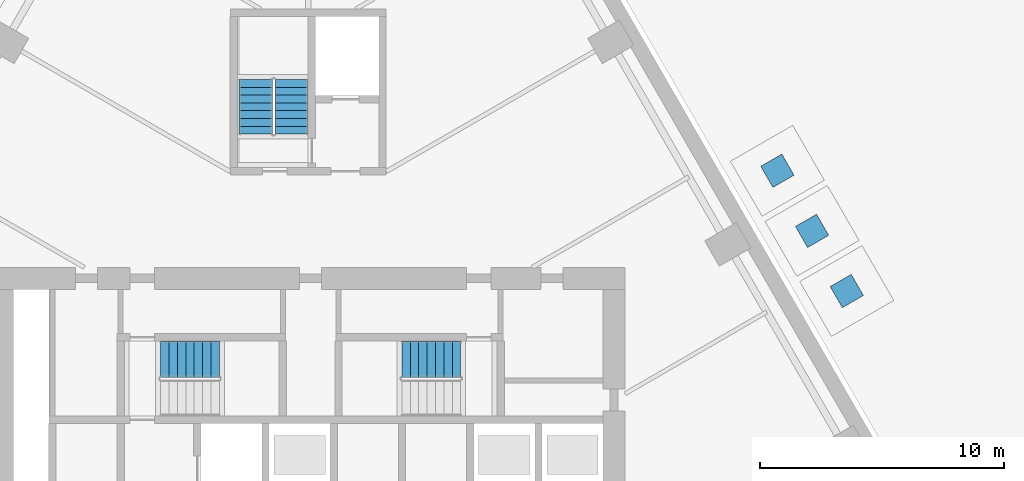
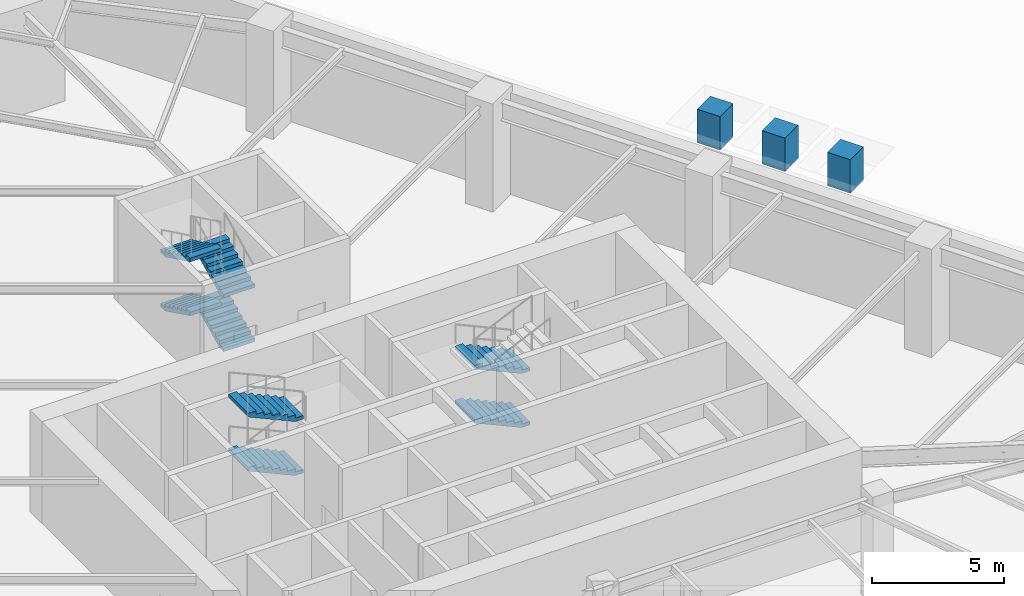
# One storey, part 6 of 9: 8 stair flights, 3 discrete accessories, 3 elements without a shape of their own.
"""IFC4 building model written with IfcOpenShell, lengths in metres."""

from ifc_helpers import new_model, si_unit, direction, frame, origin, origin_2d, place, context, subcontext, project, spatial, polyline, rectangle, outline, extrude, material, type_object, element, aggregate, save


model = new_model("IFC4")

# Units and contexts
model_context = context("Model", 3, precision=1e-05, world=origin(), true_north=direction((0.0, 1.0)))
body_context = subcontext(model_context, "Body", "Model", "MODEL_VIEW")
ifc_project = project(units=[si_unit("LENGTHUNIT", "METRE"), si_unit("AREAUNIT", "SQUARE_METRE"), si_unit("VOLUMEUNIT", "CUBIC_METRE"), si_unit("PLANEANGLEUNIT", "RADIAN"), si_unit("MASSUNIT", "GRAM", prefix="KILO")], contexts=[model_context])

# Site, building, storey
site_placement = place(None, origin())
site = spatial("IfcSite", under=ifc_project, at=site_placement, CompositionType="ELEMENT")
building_placement = place(site_placement, origin())
building = spatial("IfcBuilding", under=site, at=building_placement, Name="Firuza Gate Tower and Library", CompositionType="ELEMENT")
storey_placement = place(building_placement, frame((0.0, 0.0, -5.0)))
storey = spatial("IfcBuildingStorey", under=building, at=storey_placement, Name="B1", CompositionType="ELEMENT", Elevation=-5.0)

# Stair, stair flights
ifc_material_1 = material(Name="Concrete C35/45", Category="concrete")
stair_type_1 = type_object("IfcStairType", Name="Exit stair ST11", PredefinedType="HALF_TURN_STAIR", material=ifc_material_1)
placement = place(storey_placement, origin())
stair_1 = element("IfcStair", 1, at=placement, inside=storey, type_object=stair_type_1, Name="B1 Stair ST3", PredefinedType="HALF_TURN_STAIR")
ifc_material_2 = material(Name="Concrete C35/45", Category="concrete")
stair_flight_type_1 = type_object("IfcStairFlightType", Name="Stair flight 8 risers 156.2 width 1370", PredefinedType="STRAIGHT", material=ifc_material_2)
stair_flight_1_placement = place(storey_placement, frame((74.31494140625, 89.469970703125, 0.0), z_axis=(0.0, 0.0, 1.0), x_axis=(0.0, 1.0, 0.0)))
stair_flight_1 = element("IfcStairFlight", 2, at=stair_flight_1_placement, type_object=stair_flight_type_1, Name="ST3 flight 1", NumberOfRisers=8, NumberOfTreads=7, PredefinedType="STRAIGHT", RiserHeight=0.15625, TreadLength=0.32, context=body_context, shape_type="SweptSolid", body=[
    extrude(outline(polyline([(0.0, 0.0), (0.0, 0.15625), (0.320068359375, 0.15625), (0.320068359375, 0.3125), (0.639892578125, 0.3125), (0.639892578125, 0.46875), (0.9599609375, 0.46875), (0.9599609375, 0.625), (1.280029296875, 0.625), (1.280029296875, 0.78125), (1.60009765625, 0.78125), (1.60009765625, 0.9375), (1.919921875, 0.9375), (1.919921875, 1.09375), (2.239990234375, 1.09375), (2.239990234375, 1.25), (2.239990234375, 0.927001953125), (0.341552734375, 0.0), (0.0, 0.0)])), frame((0.0, 0.68505859375, 0.0), z_axis=(0.0, -1.0, 0.0), x_axis=(1.0, 0.0, 0.0)), (0.0, 0.0, 1.0), 1.3701171875),
])
stair_flight_2_placement = place(storey_placement, frame((72.844970703125, 91.7099609375, 1.25), z_axis=(0.0, 0.0, 1.0), x_axis=(0.0, -1.0, 0.0)))
stair_flight_2 = element("IfcStairFlight", 3, at=stair_flight_2_placement, type_object=stair_flight_type_1, Name="ST3 flight 2", NumberOfRisers=8, NumberOfTreads=7, PredefinedType="STRAIGHT", RiserHeight=0.15625, TreadLength=0.32, context=body_context, shape_type="SweptSolid", body=[
    extrude(outline(polyline([(0.0, 0.0), (0.0, 0.15625), (0.320068359375, 0.15625), (0.320068359375, 0.3125), (0.639892578125, 0.3125), (0.639892578125, 0.46875), (0.9599609375, 0.46875), (0.9599609375, 0.625), (1.280029296875, 0.625), (1.280029296875, 0.78125), (1.60009765625, 0.78125), (1.60009765625, 0.9375), (1.919921875, 0.9375), (1.919921875, 1.09375), (2.239990234375, 1.09375), (2.239990234375, 1.25), (2.239990234375, 0.927001953125), (0.341552734375, 0.0), (0.0, 0.0)])), frame((0.0, 0.68505859375, 0.0), z_axis=(0.0, -1.0, 0.0), x_axis=(1.0, 0.0, 0.0)), (0.0, 0.0, 1.0), 1.3701171875),
])
stair_flight_3_placement = place(storey_placement, frame((74.31494140625, 89.469970703125, 2.5), z_axis=(0.0, 0.0, 1.0), x_axis=(0.0, 1.0, 0.0)))
stair_flight_3 = element("IfcStairFlight", 4, at=stair_flight_3_placement, type_object=stair_flight_type_1, Name="ST3 flight 3", NumberOfRisers=8, NumberOfTreads=7, PredefinedType="STRAIGHT", RiserHeight=0.15625, TreadLength=0.32, context=body_context, shape_type="SweptSolid", body=[
    extrude(outline(polyline([(0.0, 0.0), (0.0, 0.15625), (0.320068359375, 0.15625), (0.320068359375, 0.3125), (0.639892578125, 0.3125), (0.639892578125, 0.46875), (0.9599609375, 0.46875), (0.9599609375, 0.625), (1.280029296875, 0.625), (1.280029296875, 0.78125), (1.60009765625, 0.78125), (1.60009765625, 0.9375), (1.919921875, 0.9375), (1.919921875, 1.09375), (2.239990234375, 1.09375), (2.239990234375, 1.25), (2.239990234375, 0.927001953125), (0.341552734375, 0.0), (0.0, 0.0)])), frame((0.0, 0.68505859375, 0.0), z_axis=(0.0, -1.0, 0.0), x_axis=(1.0, 0.0, 0.0)), (0.0, 0.0, 1.0), 1.3701171875),
])
stair_flight_4_placement = place(storey_placement, frame((72.844970703125, 91.7099609375, 3.75), z_axis=(0.0, 0.0, 1.0), x_axis=(0.0, -1.0, 0.0)))
stair_flight_4 = element("IfcStairFlight", 5, at=stair_flight_4_placement, type_object=stair_flight_type_1, Name="ST3 flight 4", NumberOfRisers=8, NumberOfTreads=7, PredefinedType="STRAIGHT", RiserHeight=0.15625, TreadLength=0.32, context=body_context, shape_type="SweptSolid", body=[
    extrude(outline(polyline([(0.0, 0.0), (0.0, 0.15625), (0.320068359375, 0.15625), (0.320068359375, 0.3125), (0.639892578125, 0.3125), (0.639892578125, 0.46875), (0.9599609375, 0.46875), (0.9599609375, 0.625), (1.280029296875, 0.625), (1.280029296875, 0.78125), (1.60009765625, 0.78125), (1.60009765625, 0.9375), (1.919921875, 0.9375), (1.919921875, 1.09375), (2.239990234375, 1.09375), (2.239990234375, 1.25), (2.239990234375, 0.927001953125), (0.341552734375, 0.0), (0.0, 0.0)])), frame((0.0, 0.68505859375, 0.0), z_axis=(0.0, -1.0, 0.0), x_axis=(1.0, 0.0, 0.0)), (0.0, 0.0, 1.0), 1.3701171875),
])
aggregate(stair_1, [stair_flight_1, stair_flight_2, stair_flight_3, stair_flight_4])

ifc_material_3 = material(Name="Concrete C35/45", Category="concrete")
stair_type_2 = type_object("IfcStairType", Name="Exit stair ST2", PredefinedType="HALF_TURN_STAIR", material=ifc_material_3)
stair_2 = element("IfcStair", 6, at=placement, inside=storey, type_object=stair_type_2, Name="B1 Stair ST1", PredefinedType="HALF_TURN_STAIR")
ifc_material_4 = material(Name="Concrete C35/45", Category="concrete")
stair_flight_type_2 = type_object("IfcStairFlightType", Name="Stair flight 8 risers 156.2 width 1490", PredefinedType="STRAIGHT", material=ifc_material_4)
stair_flight_5_placement = place(storey_placement, frame((71.35498046875, 80.235107421875, 1.25), z_axis=(0.0, 0.0, 1.0), x_axis=(-1.0, 0.0, 0.0)))
stair_flight_5 = element("IfcStairFlight", 7, at=stair_flight_5_placement, type_object=stair_flight_type_2, Name="ST1 flight 2", NumberOfRisers=8, NumberOfTreads=7, PredefinedType="STRAIGHT", RiserHeight=0.15625, TreadLength=0.345, context=body_context, shape_type="SweptSolid", body=[
    extrude(outline(polyline([(0.0, 0.0), (0.0, 0.15625), (0.344970703125, 0.15625), (0.344970703125, 0.3125), (0.68994140625, 0.3125), (0.68994140625, 0.46875), (1.034912109375, 0.46875), (1.034912109375, 0.625), (1.3798828125, 0.625), (1.3798828125, 0.78125), (1.72509765625, 0.78125), (1.72509765625, 0.9375), (2.070068359375, 0.9375), (2.070068359375, 1.09375), (2.4150390625, 1.09375), (2.4150390625, 1.25), (2.4150390625, 0.92919921875), (0.36328125, 0.0), (0.0, 0.0)])), frame((0.0, 0.7451171875, 0.0), z_axis=(0.0, -1.0, 0.0), x_axis=(1.0, 0.0, 0.0)), (0.0, 0.0, 1.0), 1.489990234375),
])
stair_flight_6_placement = place(storey_placement, frame((71.35498046875, 80.235107421875, 3.75), z_axis=(0.0, 0.0, 1.0), x_axis=(-1.0, 0.0, 0.0)))
stair_flight_6 = element("IfcStairFlight", 8, at=stair_flight_6_placement, type_object=stair_flight_type_2, Name="ST1 flight 4", NumberOfRisers=8, NumberOfTreads=7, PredefinedType="STRAIGHT", RiserHeight=0.15625, TreadLength=0.345, context=body_context, shape_type="SweptSolid", body=[
    extrude(outline(polyline([(0.0, 0.0), (0.0, 0.15625), (0.344970703125, 0.15625), (0.344970703125, 0.3125), (0.68994140625, 0.3125), (0.68994140625, 0.46875), (1.034912109375, 0.46875), (1.034912109375, 0.625), (1.3798828125, 0.625), (1.3798828125, 0.78125), (1.72509765625, 0.78125), (1.72509765625, 0.9375), (2.070068359375, 0.9375), (2.070068359375, 1.09375), (2.4150390625, 1.09375), (2.4150390625, 1.25), (2.4150390625, 0.92919921875), (0.36328125, 0.0), (0.0, 0.0)])), frame((0.0, 0.7451171875, 0.0), z_axis=(0.0, -1.0, 0.0), x_axis=(1.0, 0.0, 0.0)), (0.0, 0.0, 1.0), 1.489990234375),
])
aggregate(stair_2, [stair_flight_5, stair_flight_6])

stair_3 = element("IfcStair", 9, at=placement, inside=storey, type_object=stair_type_2, Name="B1 Stair ST2", PredefinedType="HALF_TURN_STAIR")
stair_flight_7_placement = place(storey_placement, frame((81.260009765625, 80.235107421875, 0.0), z_axis=(0.0, 0.0, 1.0), x_axis=(-1.0, 0.0, 0.0)))
stair_flight_7 = element("IfcStairFlight", 10, at=stair_flight_7_placement, type_object=stair_flight_type_2, Name="ST2 flight 1", NumberOfRisers=8, NumberOfTreads=7, PredefinedType="STRAIGHT", RiserHeight=0.15625, TreadLength=0.345, context=body_context, shape_type="SweptSolid", body=[
    extrude(outline(polyline([(0.0, 0.0), (0.0, 0.15625), (0.344970703125, 0.15625), (0.344970703125, 0.3125), (0.68994140625, 0.3125), (0.68994140625, 0.46875), (1.034912109375, 0.46875), (1.034912109375, 0.625), (1.3798828125, 0.625), (1.3798828125, 0.78125), (1.72509765625, 0.78125), (1.72509765625, 0.9375), (2.070068359375, 0.9375), (2.070068359375, 1.09375), (2.4150390625, 1.09375), (2.4150390625, 1.25), (2.4150390625, 0.92919921875), (0.36328125, 0.0), (0.0, 0.0)])), frame((0.0, 0.7451171875, 0.0), z_axis=(0.0, -1.0, 0.0), x_axis=(1.0, 0.0, 0.0)), (0.0, 0.0, 1.0), 1.489990234375),
])
stair_flight_8_placement = place(storey_placement, frame((81.260009765625, 80.235107421875, 2.5), z_axis=(0.0, 0.0, 1.0), x_axis=(-1.0, 0.0, 0.0)))
stair_flight_8 = element("IfcStairFlight", 11, at=stair_flight_8_placement, type_object=stair_flight_type_2, Name="ST2 flight 3", NumberOfRisers=8, NumberOfTreads=7, PredefinedType="STRAIGHT", RiserHeight=0.15625, TreadLength=0.345, context=body_context, shape_type="SweptSolid", body=[
    extrude(outline(polyline([(0.0, 0.0), (0.0, 0.15625), (0.344970703125, 0.15625), (0.344970703125, 0.3125), (0.68994140625, 0.3125), (0.68994140625, 0.46875), (1.034912109375, 0.46875), (1.034912109375, 0.625), (1.3798828125, 0.625), (1.3798828125, 0.78125), (1.72509765625, 0.78125), (1.72509765625, 0.9375), (2.070068359375, 0.9375), (2.070068359375, 1.09375), (2.4150390625, 1.09375), (2.4150390625, 1.25), (2.4150390625, 0.92919921875), (0.36328125, 0.0), (0.0, 0.0)])), frame((0.0, 0.7451171875, 0.0), z_axis=(0.0, -1.0, 0.0), x_axis=(1.0, 0.0, 0.0)), (0.0, 0.0, 1.0), 1.489990234375),
])
aggregate(stair_3, [stair_flight_7, stair_flight_8])

# Discrete accessories
for number, where, z_axis, x_axis, name in (
    (12, (97.106689453125, 83.029052734375, 3.5), (0.0, 0.0, 1.0), (-0.5, 0.866025403784, 0.0), "Buffer stand LIB-L1"),
    (13, (95.681884765625, 85.497314453125, 3.5), (0.0, 0.0, 1.0), (-0.5, 0.866025403784, 0.0), "Buffer stand LIB-L2"),
    (14, (94.2568359375, 87.96533203125, 3.5), (0.0, 0.0, 1.0), (-0.5, 0.866025403784, 0.0), "Buffer stand LIB-L3"),
):
    element("IfcDiscreteAccessory", number, at=place(storey_placement, frame(where, z_axis=z_axis, x_axis=x_axis)), inside=storey, Name=name, PredefinedType="BRACKET", context=body_context, shape_type="SweptSolid", body=[
        extrude(rectangle(XDim=1.0, YDim=1.0, at=origin_2d()), origin(), (0.0, 0.0, 1.0), 1.550048828125),
    ])

save(model, "model.ifc")
